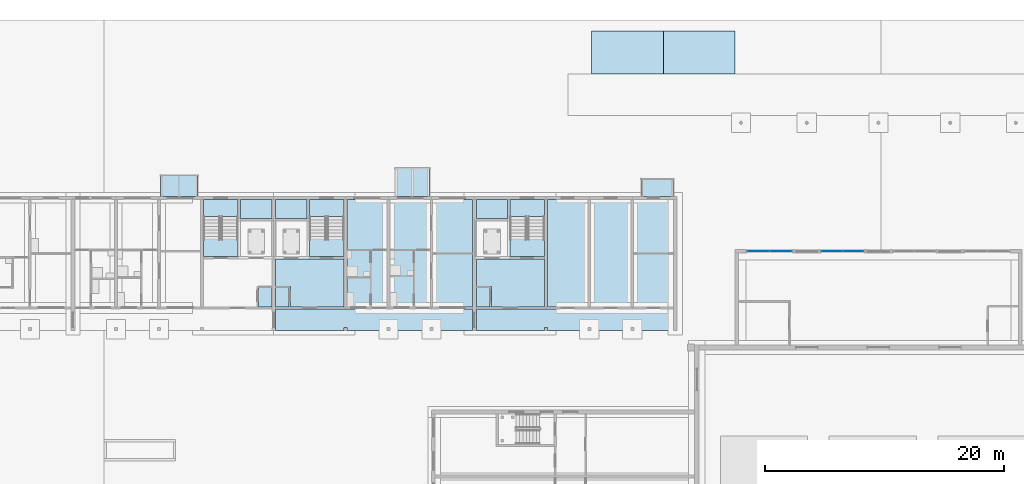
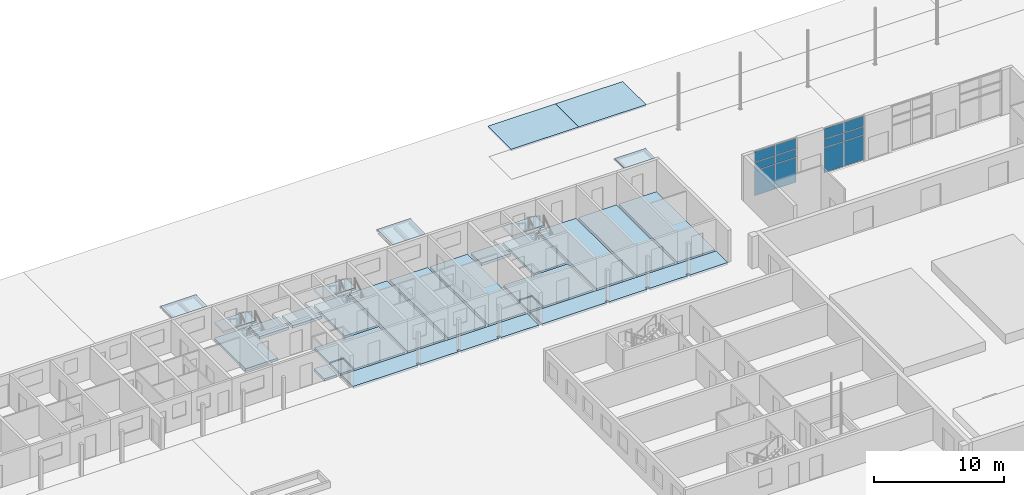
# One storey, part 31 of 112: 27 slabs, 12 plates, 5 elements without a shape of their own.
"""IFC4 building model written with IfcOpenShell, lengths in metres."""

from ifc_helpers import new_model, si_unit, direction, frame, origin, origin_2d, place, context, subcontext, project, spatial, polyline, rectangle, outline, extrude, material, layer, layer_set, type_object, element, aggregate, save


model = new_model("IFC4")

# Units and contexts
model_context = context("Model", 3, precision=1e-05, world=origin(), true_north=direction((0.0, 1.0)))
body_context = subcontext(model_context, "Body", "Model", "MODEL_VIEW")
ifc_project = project(units=[si_unit("LENGTHUNIT", "METRE"), si_unit("AREAUNIT", "SQUARE_METRE"), si_unit("VOLUMEUNIT", "CUBIC_METRE"), si_unit("PLANEANGLEUNIT", "RADIAN"), si_unit("MASSUNIT", "GRAM", prefix="KILO")], contexts=[model_context])

# Site, building, storey
site_placement = place(None, origin())
site = spatial("IfcSite", under=ifc_project, at=site_placement, CompositionType="ELEMENT")
building_placement = place(site_placement, origin())
building = spatial("IfcBuilding", under=site, at=building_placement, Name="Ridgestep Commons", CompositionType="ELEMENT")
storey_placement = place(building_placement, origin())
storey = spatial("IfcBuildingStorey", under=building, at=storey_placement, Name="L00", CompositionType="ELEMENT", Elevation=0.0)

# Curtain wall, plates
ifc_material_1 = material(Name="Aluminium and glass", Category="aluminium")
ifc_layer_1 = layer(ifc_material_1, 0.199951171875)
ifc_layer_set_1 = layer_set([ifc_layer_1], Name="Foyer curtain wall")
curtain_wall_type = type_object("IfcCurtainWallType", Name="Foyer curtain wall", PredefinedType="NOTDEFINED", material=ifc_layer_set_1)
curtain_wall_1_placement = place(storey_placement, origin())
curtain_wall_1 = element("IfcCurtainWall", 1, at=curtain_wall_1_placement, inside=storey, type_object=curtain_wall_type, Name="Foyer curtain wall", PredefinedType="NOTDEFINED")
ifc_material_2 = material(Name="Glass", Category="glass")
ifc_layer_2 = layer(ifc_material_2, 0.02392578125)
ifc_layer_set_2 = layer_set([ifc_layer_2], Name="Community glass panel 24")
plate_type = type_object("IfcPlateType", Name="Community glass panel 24", PredefinedType="CURTAIN_PANEL", material=ifc_layer_set_2)
plate_1_placement = place(storey_placement, frame((119.764892578125, 72.64990234375, 0.06005859375), z_axis=(0.0, 0.0, 1.0), x_axis=(1.0, 0.0, 0.0)))
plate_1 = element("IfcPlate", 2, at=plate_1_placement, type_object=plate_type, Name="CW2 panel 1.1", PredefinedType="CURTAIN_PANEL", context=body_context, shape_type="SweptSolid", body=[
    extrude(rectangle(XDim=1.81005859375, YDim=0.02392578125, at=origin_2d()), origin(), (0.0, 0.0, 1.0), 2.31005859375),
])
plate_2_placement = place(storey_placement, frame((119.764892578125, 72.64990234375, 2.43017578125), z_axis=(0.0, 0.0, 1.0), x_axis=(1.0, 0.0, 0.0)))
plate_2 = element("IfcPlate", 3, at=plate_2_placement, type_object=plate_type, Name="CW2 panel 1.2", PredefinedType="CURTAIN_PANEL", context=body_context, shape_type="SweptSolid", body=[
    extrude(rectangle(XDim=1.81005859375, YDim=0.02392578125, at=origin_2d()), origin(), (0.0, 0.0, 1.0), 0.739990234375),
])
plate_3_placement = place(storey_placement, frame((119.764892578125, 72.64990234375, 3.22998046875), z_axis=(0.0, 0.0, 1.0), x_axis=(1.0, 0.0, 0.0)))
plate_3 = element("IfcPlate", 4, at=plate_3_placement, type_object=plate_type, Name="CW2 panel 1.3", PredefinedType="CURTAIN_PANEL", context=body_context, shape_type="SweptSolid", body=[
    extrude(rectangle(XDim=1.81005859375, YDim=0.02392578125, at=origin_2d()), origin(), (0.0, 0.0, 1.0), 0.9599609375),
])
plate_4_placement = place(storey_placement, frame((121.635009765625, 72.64990234375, 0.06005859375), z_axis=(0.0, 0.0, 1.0), x_axis=(1.0, 0.0, 0.0)))
plate_4 = element("IfcPlate", 5, at=plate_4_placement, type_object=plate_type, Name="CW2 panel 2.1", PredefinedType="CURTAIN_PANEL", context=body_context, shape_type="SweptSolid", body=[
    extrude(rectangle(XDim=1.81005859375, YDim=0.02392578125, at=origin_2d()), origin(), (0.0, 0.0, 1.0), 2.31005859375),
])
plate_5_placement = place(storey_placement, frame((121.635009765625, 72.64990234375, 2.43017578125), z_axis=(0.0, 0.0, 1.0), x_axis=(1.0, 0.0, 0.0)))
plate_5 = element("IfcPlate", 6, at=plate_5_placement, type_object=plate_type, Name="CW2 panel 2.2", PredefinedType="CURTAIN_PANEL", context=body_context, shape_type="SweptSolid", body=[
    extrude(rectangle(XDim=1.81005859375, YDim=0.02392578125, at=origin_2d()), origin(), (0.0, 0.0, 1.0), 0.739990234375),
])
plate_6_placement = place(storey_placement, frame((121.635009765625, 72.64990234375, 3.22998046875), z_axis=(0.0, 0.0, 1.0), x_axis=(1.0, 0.0, 0.0)))
plate_6 = element("IfcPlate", 7, at=plate_6_placement, type_object=plate_type, Name="CW2 panel 2.3", PredefinedType="CURTAIN_PANEL", context=body_context, shape_type="SweptSolid", body=[
    extrude(rectangle(XDim=1.81005859375, YDim=0.02392578125, at=origin_2d()), origin(), (0.0, 0.0, 1.0), 0.9599609375),
])
aggregate(curtain_wall_1, [plate_1, plate_2, plate_3, plate_4, plate_5, plate_6])

curtain_wall_2_placement = place(storey_placement, origin())
curtain_wall_2 = element("IfcCurtainWall", 8, at=curtain_wall_2_placement, inside=storey, type_object=curtain_wall_type, Name="Foyer curtain wall", PredefinedType="NOTDEFINED")
plate_7_placement = place(storey_placement, frame((125.9150390625, 72.64990234375, 0.06005859375), z_axis=(0.0, 0.0, 1.0), x_axis=(1.0, 0.0, 0.0)))
plate_7 = element("IfcPlate", 9, at=plate_7_placement, type_object=plate_type, Name="CW2 panel 1.1", PredefinedType="CURTAIN_PANEL", context=body_context, shape_type="SweptSolid", body=[
    extrude(rectangle(XDim=1.7099609375, YDim=0.02392578125, at=origin_2d()), origin(), (0.0, 0.0, 1.0), 2.31005859375),
])
plate_8_placement = place(storey_placement, frame((125.9150390625, 72.64990234375, 2.43017578125), z_axis=(0.0, 0.0, 1.0), x_axis=(1.0, 0.0, 0.0)))
plate_8 = element("IfcPlate", 10, at=plate_8_placement, type_object=plate_type, Name="CW2 panel 1.2", PredefinedType="CURTAIN_PANEL", context=body_context, shape_type="SweptSolid", body=[
    extrude(rectangle(XDim=1.7099609375, YDim=0.02392578125, at=origin_2d()), origin(), (0.0, 0.0, 1.0), 0.739990234375),
])
plate_9_placement = place(storey_placement, frame((125.9150390625, 72.64990234375, 3.22998046875), z_axis=(0.0, 0.0, 1.0), x_axis=(1.0, 0.0, 0.0)))
plate_9 = element("IfcPlate", 11, at=plate_9_placement, type_object=plate_type, Name="CW2 panel 1.3", PredefinedType="CURTAIN_PANEL", context=body_context, shape_type="SweptSolid", body=[
    extrude(rectangle(XDim=1.7099609375, YDim=0.02392578125, at=origin_2d()), origin(), (0.0, 0.0, 1.0), 0.9599609375),
])
plate_10_placement = place(storey_placement, frame((127.68505859375, 72.64990234375, 0.06005859375), z_axis=(0.0, 0.0, 1.0), x_axis=(1.0, 0.0, 0.0)))
plate_10 = element("IfcPlate", 12, at=plate_10_placement, type_object=plate_type, Name="CW2 panel 2.1", PredefinedType="CURTAIN_PANEL", context=body_context, shape_type="SweptSolid", body=[
    extrude(rectangle(XDim=1.7099609375, YDim=0.02392578125, at=origin_2d()), origin(), (0.0, 0.0, 1.0), 2.31005859375),
])
plate_11_placement = place(storey_placement, frame((127.68505859375, 72.64990234375, 2.43017578125), z_axis=(0.0, 0.0, 1.0), x_axis=(1.0, 0.0, 0.0)))
plate_11 = element("IfcPlate", 13, at=plate_11_placement, type_object=plate_type, Name="CW2 panel 2.2", PredefinedType="CURTAIN_PANEL", context=body_context, shape_type="SweptSolid", body=[
    extrude(rectangle(XDim=1.7099609375, YDim=0.02392578125, at=origin_2d()), origin(), (0.0, 0.0, 1.0), 0.739990234375),
])
plate_12_placement = place(storey_placement, frame((127.68505859375, 72.64990234375, 3.22998046875), z_axis=(0.0, 0.0, 1.0), x_axis=(1.0, 0.0, 0.0)))
plate_12 = element("IfcPlate", 14, at=plate_12_placement, type_object=plate_type, Name="CW2 panel 2.3", PredefinedType="CURTAIN_PANEL", context=body_context, shape_type="SweptSolid", body=[
    extrude(rectangle(XDim=1.7099609375, YDim=0.02392578125, at=origin_2d()), origin(), (0.0, 0.0, 1.0), 0.9599609375),
])
aggregate(curtain_wall_2, [plate_7, plate_8, plate_9, plate_10, plate_11, plate_12])

# Slabs
ifc_material_3 = material(Name="Concrete C30/37", Category="concrete")
ifc_layer_3 = layer(ifc_material_3, 0.14990234375)
ifc_layer_set_3 = layer_set([ifc_layer_3], Name="Community paving slab 150")
slab_type_1 = type_object("IfcSlabType", Name="Community paving slab 150", PredefinedType="BASESLAB", material=ifc_layer_set_3)
slab_1_placement = place(storey_placement, frame((0.0, 0.0, -0.14990234375)))
element("IfcSlab", 15, at=slab_1_placement, inside=storey, type_object=slab_type_1, Name="Accessible bay 1 paving", PredefinedType="BASESLAB", context=body_context, shape_type="SweptSolid", body=[
    extrude(outline(polyline([(105.800048828125, 87.5), (111.800048828125, 87.5), (111.800048828125, 91.10009765625), (105.800048828125, 91.10009765625), (105.800048828125, 87.5)])), origin(), (0.0, 0.0, 1.0), 0.14990234375),
])
slab_2_placement = place(storey_placement, frame((0.0, 0.0, -0.14990234375)))
element("IfcSlab", 16, at=slab_2_placement, inside=storey, type_object=slab_type_1, Name="Accessible bay 2 paving", PredefinedType="BASESLAB", context=body_context, shape_type="SweptSolid", body=[
    extrude(outline(polyline([(111.800048828125, 87.5), (117.800048828125, 87.5), (117.800048828125, 91.10009765625), (111.800048828125, 91.10009765625), (111.800048828125, 87.5)])), origin(), (0.0, 0.0, 1.0), 0.14990234375),
])
ifc_material_4 = material(Name="Precast concrete C40/50", Category="concrete")
ifc_layer_4 = layer(ifc_material_4, 0.199951171875)
ifc_layer_set_4 = layer_set([ifc_layer_4], Name="Gallery slab 200")
slab_type_2 = type_object("IfcSlabType", Name="Gallery slab 200", PredefinedType="FLOOR", material=ifc_layer_set_4)
slab_3_placement = place(storey_placement, frame((0.0, 0.0, -0.199951171875)))
element("IfcSlab", 17, at=slab_3_placement, inside=storey, type_object=slab_type_2, Name="Gallery slab B5 L00", PredefinedType="FLOOR", context=body_context, shape_type="SweptSolid", body=[
    extrude(outline(polyline([(95.85009765625, 67.800048828125), (79.35009765625, 67.800048828125), (79.35009765625, 66.0), (85.074951171875, 66.0), (85.074951171875, 66.25), (85.324951171875, 66.25), (85.324951171875, 66.0), (88.675048828125, 66.0), (88.675048828125, 66.25), (88.925048828125, 66.25), (88.925048828125, 66.0), (92.27490234375, 66.0), (92.27490234375, 66.25), (92.52490234375, 66.25), (92.52490234375, 66.0), (95.85009765625, 66.0), (95.85009765625, 67.800048828125)])), origin(), (0.0, 0.0, 1.0), 0.199951171875),
])
slab_4_placement = place(storey_placement, frame((0.0, 0.0, -0.199951171875)))
element("IfcSlab", 18, at=slab_4_placement, inside=storey, type_object=slab_type_2, Name="Gallery slab B6 L00", PredefinedType="FLOOR", context=body_context, shape_type="SweptSolid", body=[
    extrude(outline(polyline([(112.64990234375, 67.800048828125), (96.14990234375, 67.800048828125), (96.14990234375, 66.0), (101.875, 66.0), (101.875, 66.25), (102.125, 66.25), (102.125, 66.0), (105.47509765625, 66.0), (105.47509765625, 66.25), (105.72509765625, 66.25), (105.72509765625, 66.0), (109.074951171875, 66.0), (109.074951171875, 66.25), (109.324951171875, 66.25), (109.324951171875, 66.0), (112.64990234375, 66.0), (112.64990234375, 67.800048828125)])), origin(), (0.0, 0.0, 1.0), 0.199951171875),
])
ifc_material_5 = material(Name="Concrete C30/37", Category="concrete")
ifc_layer_5 = layer(ifc_material_5, 0.25)
ifc_layer_set_5 = layer_set([ifc_layer_5], Name="Slab on grade 250")
slab_type_3 = type_object("IfcSlabType", Name="Slab on grade 250", PredefinedType="BASESLAB", material=ifc_layer_set_5)
slab_5_placement = place(storey_placement, frame((0.0, 0.0, -0.25)))
element("IfcSlab", 19, at=slab_5_placement, inside=storey, type_object=slab_type_3, Name="Slab on grade B4C", PredefinedType="BASESLAB", context=body_context, shape_type="SweptSolid", body=[
    extrude(outline(polyline([(76.22509765625, 77.0), (73.324951171875, 77.0), (73.324951171875, 72.199951171875), (76.22509765625, 72.199951171875), (76.22509765625, 77.0)])), origin(), (0.0, 0.0, 1.0), 0.25),
])
slab_6_placement = place(storey_placement, frame((0.0, 0.0, -0.25)))
element("IfcSlab", 20, at=slab_6_placement, inside=storey, type_object=slab_type_3, Name="Slab on grade B4C", PredefinedType="BASESLAB", context=body_context, shape_type="SweptSolid", body=[
    extrude(outline(polyline([(79.050048828125, 75.39990234375), (79.050048828125, 77.0), (76.425048828125, 77.0), (76.425048828125, 75.39990234375), (79.050048828125, 75.39990234375)])), origin(), (0.0, 0.0, 1.0), 0.25),
])
slab_7_placement = place(storey_placement, frame((0.0, 0.0, -0.25)))
element("IfcSlab", 21, at=slab_7_placement, inside=storey, type_object=slab_type_3, Name="Slab on grade B4C", PredefinedType="BASESLAB", context=body_context, shape_type="SweptSolid", body=[
    extrude(outline(polyline([(77.919921875, 68.0), (79.050048828125, 68.0), (79.050048828125, 69.60009765625), (77.919921875, 69.60009765625), (77.919921875, 68.0)])), origin(), (0.0, 0.0, 1.0), 0.25),
])
slab_8_placement = place(storey_placement, frame((0.0, 0.0, -0.25)))
element("IfcSlab", 22, at=slab_8_placement, inside=storey, type_object=slab_type_3, Name="Slab on grade B5C", PredefinedType="BASESLAB", context=body_context, shape_type="SweptSolid", body=[
    extrude(outline(polyline([(80.60009765625, 68.0), (85.074951171875, 68.0), (85.074951171875, 72.0), (79.35009765625, 72.0), (79.35009765625, 69.719970703125), (80.47998046875, 69.719970703125), (80.60009765625, 69.719970703125), (80.60009765625, 68.0)])), origin(), (0.0, 0.0, 1.0), 0.25),
])
slab_9_placement = place(storey_placement, frame((0.0, 0.0, -0.25)))
element("IfcSlab", 23, at=slab_9_placement, inside=storey, type_object=slab_type_3, Name="Slab on grade B5C", PredefinedType="BASESLAB", context=body_context, shape_type="SweptSolid", body=[
    extrude(outline(polyline([(85.074951171875, 72.199951171875), (85.074951171875, 77.0), (82.175048828125, 77.0), (82.175048828125, 72.199951171875), (85.074951171875, 72.199951171875)])), origin(), (0.0, 0.0, 1.0), 0.25),
])
slab_10_placement = place(storey_placement, frame((0.0, 0.0, -0.25)))
element("IfcSlab", 24, at=slab_10_placement, inside=storey, type_object=slab_type_3, Name="Slab on grade B5C", PredefinedType="BASESLAB", context=body_context, shape_type="SweptSolid", body=[
    extrude(outline(polyline([(81.97509765625, 77.0), (79.35009765625, 77.0), (79.35009765625, 75.39990234375), (81.97509765625, 75.39990234375), (81.97509765625, 77.0)])), origin(), (0.0, 0.0, 1.0), 0.25),
])
slab_11_placement = place(storey_placement, frame((0.0, 0.0, -0.25)))
element("IfcSlab", 25, at=slab_11_placement, inside=storey, type_object=slab_type_3, Name="Slab on grade B5C", PredefinedType="BASESLAB", context=body_context, shape_type="SweptSolid", body=[
    extrude(outline(polyline([(80.47998046875, 69.60009765625), (79.35009765625, 69.60009765625), (79.35009765625, 68.0), (80.47998046875, 68.0), (80.47998046875, 69.60009765625)])), origin(), (0.0, 0.0, 1.0), 0.25),
])
slab_12_placement = place(storey_placement, frame((0.0, 0.0, -0.25)))
element("IfcSlab", 26, at=slab_12_placement, inside=storey, type_object=slab_type_3, Name="Slab on grade B5T3", PredefinedType="BASESLAB", context=body_context, shape_type="SweptSolid", body=[
    extrude(outline(polyline([(88.675048828125, 68.0), (88.675048828125, 77.0), (85.324951171875, 77.0), (85.324951171875, 68.0), (88.675048828125, 68.0)])), origin(), (0.0, 0.0, 1.0), 0.25),
])
slab_13_placement = place(storey_placement, frame((0.0, 0.0, -0.25)))
element("IfcSlab", 27, at=slab_13_placement, inside=storey, type_object=slab_type_3, Name="Slab on grade B5T2", PredefinedType="BASESLAB", context=body_context, shape_type="SweptSolid", body=[
    extrude(outline(polyline([(92.300048828125, 68.0), (92.300048828125, 77.0), (88.925048828125, 77.0), (88.925048828125, 68.0), (92.300048828125, 68.0)])), origin(), (0.0, 0.0, 1.0), 0.25),
])
slab_14_placement = place(storey_placement, frame((0.0, 0.0, -0.25)))
element("IfcSlab", 28, at=slab_14_placement, inside=storey, type_object=slab_type_3, Name="Slab on grade B5T1", PredefinedType="BASESLAB", context=body_context, shape_type="SweptSolid", body=[
    extrude(outline(polyline([(95.85009765625, 68.0), (95.85009765625, 77.0), (92.5, 77.0), (92.5, 68.0), (95.85009765625, 68.0)])), origin(), (0.0, 0.0, 1.0), 0.25),
])
slab_15_placement = place(storey_placement, frame((0.0, 0.0, -0.25)))
element("IfcSlab", 29, at=slab_15_placement, inside=storey, type_object=slab_type_3, Name="Slab on grade B6C", PredefinedType="BASESLAB", context=body_context, shape_type="SweptSolid", body=[
    extrude(outline(polyline([(97.39990234375, 68.0), (101.875, 68.0), (101.875, 72.0), (96.14990234375, 72.0), (96.14990234375, 69.719970703125), (97.280029296875, 69.719970703125), (97.39990234375, 69.719970703125), (97.39990234375, 68.0)])), origin(), (0.0, 0.0, 1.0), 0.25),
])
slab_16_placement = place(storey_placement, frame((0.0, 0.0, -0.25)))
element("IfcSlab", 30, at=slab_16_placement, inside=storey, type_object=slab_type_3, Name="Slab on grade B6C", PredefinedType="BASESLAB", context=body_context, shape_type="SweptSolid", body=[
    extrude(outline(polyline([(101.875, 72.199951171875), (101.875, 77.0), (98.97509765625, 77.0), (98.97509765625, 72.199951171875), (101.875, 72.199951171875)])), origin(), (0.0, 0.0, 1.0), 0.25),
])
slab_17_placement = place(storey_placement, frame((0.0, 0.0, -0.25)))
element("IfcSlab", 31, at=slab_17_placement, inside=storey, type_object=slab_type_3, Name="Slab on grade B6C", PredefinedType="BASESLAB", context=body_context, shape_type="SweptSolid", body=[
    extrude(outline(polyline([(98.77490234375, 77.0), (96.14990234375, 77.0), (96.14990234375, 75.39990234375), (98.77490234375, 75.39990234375), (98.77490234375, 77.0)])), origin(), (0.0, 0.0, 1.0), 0.25),
])
slab_18_placement = place(storey_placement, frame((0.0, 0.0, -0.25)))
element("IfcSlab", 32, at=slab_18_placement, inside=storey, type_object=slab_type_3, Name="Slab on grade B6C", PredefinedType="BASESLAB", context=body_context, shape_type="SweptSolid", body=[
    extrude(outline(polyline([(97.280029296875, 69.60009765625), (96.14990234375, 69.60009765625), (96.14990234375, 68.0), (97.280029296875, 68.0), (97.280029296875, 69.60009765625)])), origin(), (0.0, 0.0, 1.0), 0.25),
])
slab_19_placement = place(storey_placement, frame((0.0, 0.0, -0.25)))
element("IfcSlab", 33, at=slab_19_placement, inside=storey, type_object=slab_type_3, Name="Slab on grade B6T3", PredefinedType="BASESLAB", context=body_context, shape_type="SweptSolid", body=[
    extrude(outline(polyline([(105.5, 68.0), (105.5, 77.0), (102.125, 77.0), (102.125, 68.0), (105.5, 68.0)])), origin(), (0.0, 0.0, 1.0), 0.25),
])
slab_20_placement = place(storey_placement, frame((0.0, 0.0, -0.25)))
element("IfcSlab", 34, at=slab_20_placement, inside=storey, type_object=slab_type_3, Name="Slab on grade B6T2", PredefinedType="BASESLAB", context=body_context, shape_type="SweptSolid", body=[
    extrude(outline(polyline([(109.10009765625, 68.0), (109.10009765625, 77.0), (105.699951171875, 77.0), (105.699951171875, 68.0), (109.10009765625, 68.0)])), origin(), (0.0, 0.0, 1.0), 0.25),
])
slab_21_placement = place(storey_placement, frame((0.0, 0.0, -0.25)))
element("IfcSlab", 35, at=slab_21_placement, inside=storey, type_object=slab_type_3, Name="Slab on grade B6T1", PredefinedType="BASESLAB", context=body_context, shape_type="SweptSolid", body=[
    extrude(outline(polyline([(112.64990234375, 68.0), (112.64990234375, 77.0), (109.300048828125, 77.0), (109.300048828125, 68.0), (112.64990234375, 68.0)])), origin(), (0.0, 0.0, 1.0), 0.25),
])

# Stair, slab
ifc_material_6 = material(Name="Precast concrete C40/50", Category="concrete")
stair_type = type_object("IfcStairType", Name="Escape stair 1400", PredefinedType="HALF_TURN_STAIR", material=ifc_material_6)
stair_1_placement = place(storey_placement, origin())
stair_1 = element("IfcStair", 36, at=stair_1_placement, inside=storey, type_object=stair_type, Name="L00 Escape stair B4C", PredefinedType="HALF_TURN_STAIR")
ifc_material_7 = material(Name="Precast concrete C40/50", Category="concrete")
ifc_layer_6 = layer(ifc_material_7, 0.199951171875)
ifc_layer_set_6 = layer_set([ifc_layer_6], Name="Stair landing 200")
slab_type_4 = type_object("IfcSlabType", Name="Stair landing 200", PredefinedType="LANDING", material=ifc_layer_set_6)
slab_22_placement = place(storey_placement, frame((0.0, 0.0, 1.300048828125)))
slab_22 = element("IfcSlab", 37, at=slab_22_placement, type_object=slab_type_4, Name="B4C landing 1", PredefinedType="LANDING", context=body_context, shape_type="SweptSolid", body=[
    extrude(outline(polyline([(76.22509765625, 75.56005859375), (76.22509765625, 77.0), (73.324951171875, 77.0), (73.324951171875, 75.56005859375), (76.22509765625, 75.56005859375)])), origin(), (0.0, 0.0, 1.0), 0.199951171875),
])
aggregate(stair_1, [slab_22])

stair_2_placement = place(storey_placement, origin())
stair_2 = element("IfcStair", 38, at=stair_2_placement, inside=storey, type_object=stair_type, Name="L00 Escape stair B5C", PredefinedType="HALF_TURN_STAIR")
slab_23_placement = place(storey_placement, frame((0.0, 0.0, 1.300048828125)))
slab_23 = element("IfcSlab", 39, at=slab_23_placement, type_object=slab_type_4, Name="B5C landing 1", PredefinedType="LANDING", context=body_context, shape_type="SweptSolid", body=[
    extrude(outline(polyline([(85.074951171875, 75.56005859375), (85.074951171875, 77.0), (82.175048828125, 77.0), (82.175048828125, 75.56005859375), (85.074951171875, 75.56005859375)])), origin(), (0.0, 0.0, 1.0), 0.199951171875),
])
aggregate(stair_2, [slab_23])

stair_3_placement = place(storey_placement, origin())
stair_3 = element("IfcStair", 40, at=stair_3_placement, inside=storey, type_object=stair_type, Name="L00 Escape stair B6C", PredefinedType="HALF_TURN_STAIR")
slab_24_placement = place(storey_placement, frame((0.0, 0.0, 1.300048828125)))
slab_24 = element("IfcSlab", 41, at=slab_24_placement, type_object=slab_type_4, Name="B6C landing 1", PredefinedType="LANDING", context=body_context, shape_type="SweptSolid", body=[
    extrude(outline(polyline([(101.875, 75.56005859375), (101.875, 77.0), (98.97509765625, 77.0), (98.97509765625, 75.56005859375), (101.875, 75.56005859375)])), origin(), (0.0, 0.0, 1.0), 0.199951171875),
])
aggregate(stair_3, [slab_24])

# Slabs
ifc_material_8 = material(Name="Weathering steel S355J2W", Category="steel")
ifc_layer_7 = layer(ifc_material_8, 0.010009765625)
ifc_layer_set_7 = layer_set([ifc_layer_7], Name="Tray 2.8 x 1.5")
slab_type_5 = type_object("IfcSlabType", Name="Tray 2.8 x 1.5", PredefinedType="FLOOR", material=ifc_layer_set_7)
slab_25_placement = place(storey_placement, frame((0.0, 0.0, 2.989990234375)))
element("IfcSlab", 42, at=slab_25_placement, inside=storey, type_object=slab_type_5, Name="Tray deck B6T1-01", PredefinedType="FLOOR", context=body_context, shape_type="SweptSolid", body=[
    extrude(outline(polyline([(109.929931640625, 77.25), (112.669921875, 77.25), (112.669921875, 78.75), (109.929931640625, 78.75), (109.929931640625, 77.25)])), origin(), (0.0, 0.0, 1.0), 0.010009765625),
])
ifc_material_9 = material(Name="Weathering steel S355J2W", Category="steel")
ifc_layer_8 = layer(ifc_material_9, 0.010009765625)
ifc_layer_set_8 = layer_set([ifc_layer_8], Name="Tray 3.0 x 2.4")
slab_type_6 = type_object("IfcSlabType", Name="Tray 3.0 x 2.4", PredefinedType="FLOOR", material=ifc_layer_set_8)
slab_26_placement = place(storey_placement, frame((0.0, 0.0, 2.989990234375)))
element("IfcSlab", 43, at=slab_26_placement, inside=storey, type_object=slab_type_6, Name="Tray deck B5T2-01", PredefinedType="FLOOR", context=body_context, shape_type="SweptSolid", body=[
    extrude(outline(polyline([(89.330078125, 77.25), (92.27001953125, 77.25), (92.27001953125, 79.64990234375), (89.330078125, 79.64990234375), (89.330078125, 77.25)])), origin(), (0.0, 0.0, 1.0), 0.010009765625),
])
ifc_material_10 = material(Name="Weathering steel S355J2W", Category="steel")
ifc_layer_9 = layer(ifc_material_10, 0.010009765625)
ifc_layer_set_9 = layer_set([ifc_layer_9], Name="Tray 3.2 x 1.8")
slab_type_7 = type_object("IfcSlabType", Name="Tray 3.2 x 1.8", PredefinedType="FLOOR", material=ifc_layer_set_9)
slab_27_placement = place(storey_placement, frame((0.0, 0.0, 2.989990234375)))
element("IfcSlab", 44, at=slab_27_placement, inside=storey, type_object=slab_type_7, Name="Tray deck B4T3-01", PredefinedType="FLOOR", context=body_context, shape_type="SweptSolid", body=[
    extrude(outline(polyline([(69.72998046875, 77.25), (72.8701171875, 77.25), (72.8701171875, 79.050048828125), (69.72998046875, 79.050048828125), (69.72998046875, 77.25)])), origin(), (0.0, 0.0, 1.0), 0.010009765625),
])

save(model, "model.ifc")
